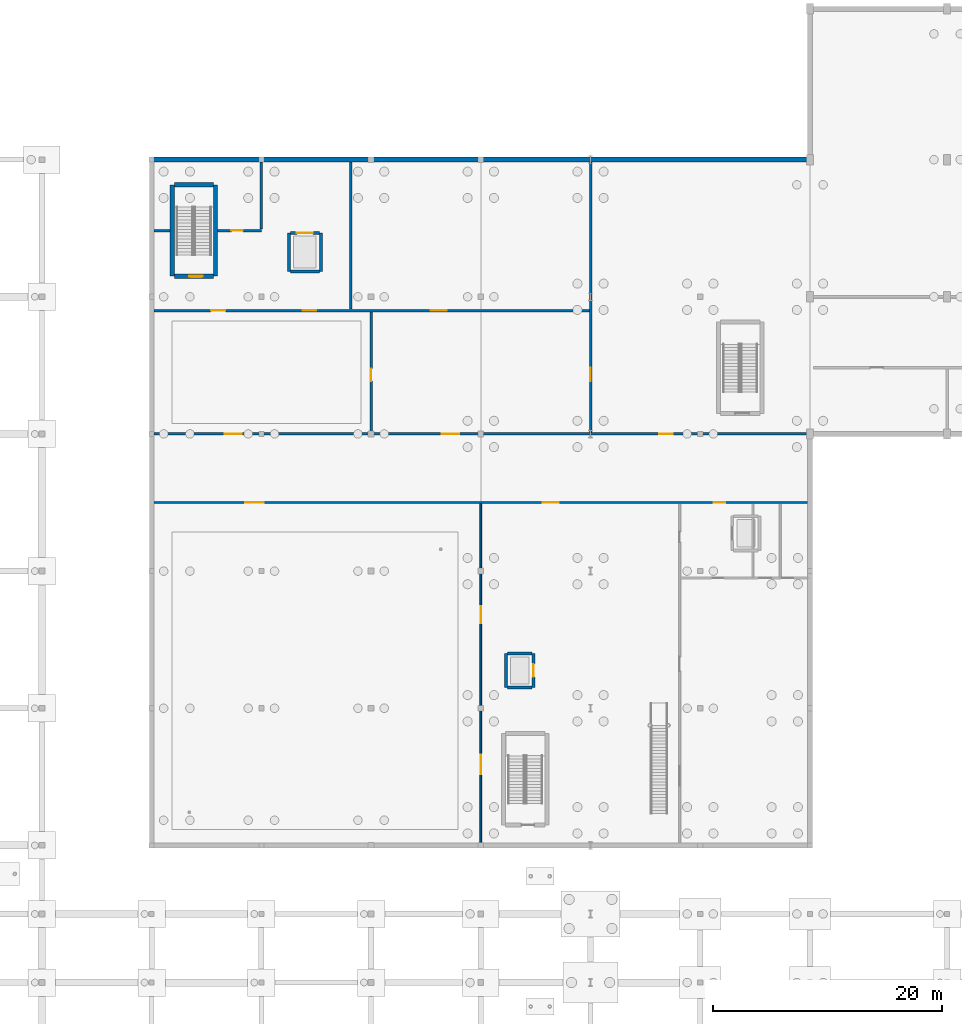
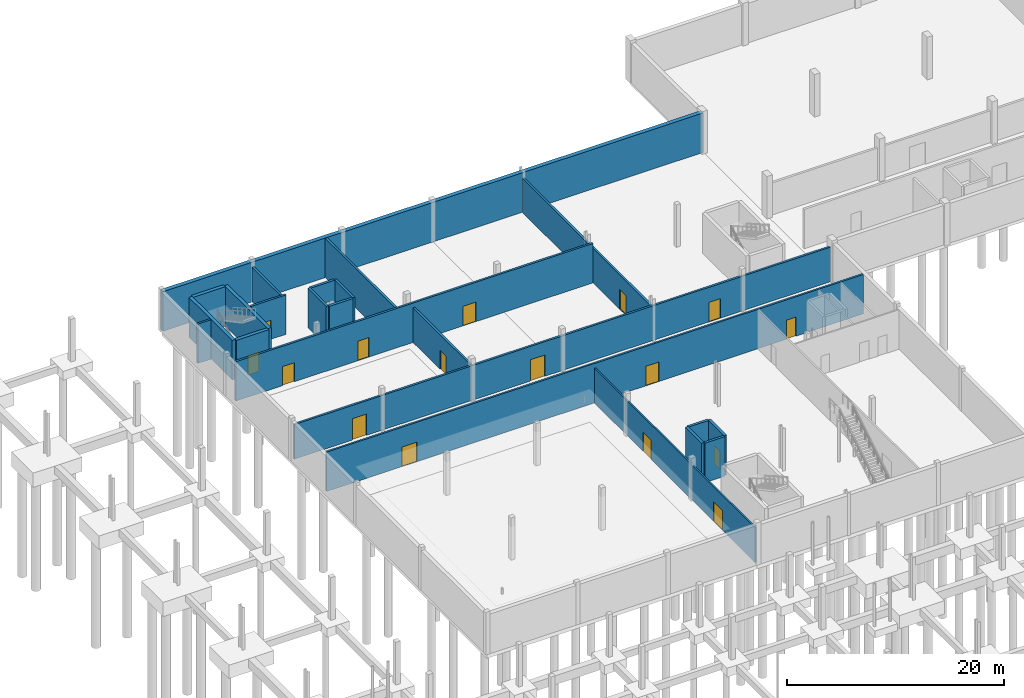
# One storey, part 24 of 31: 23 walls, 17 doors, 17 openings.
"""IFC4 building model written with IfcOpenShell, lengths in metres."""

from ifc_helpers import new_model, si_unit, direction, frame, frame_2d, origin, place, context, subcontext, project, spatial, rectangle, extrude, material, layer, layer_set, type_object, element, fill, save


model = new_model("IFC4")

# Units and contexts
model_context = context("Model", 3, precision=1e-05, world=origin(), true_north=direction((0.0, 1.0)))
body_context = subcontext(model_context, "Body", "Model", "MODEL_VIEW")
ifc_project = project(units=[si_unit("LENGTHUNIT", "METRE"), si_unit("AREAUNIT", "SQUARE_METRE"), si_unit("VOLUMEUNIT", "CUBIC_METRE"), si_unit("PLANEANGLEUNIT", "RADIAN"), si_unit("MASSUNIT", "GRAM", prefix="KILO")], contexts=[model_context])

# Site, building, storey
site_placement = place(None, origin())
site = spatial("IfcSite", under=ifc_project, at=site_placement, CompositionType="ELEMENT")
building_placement = place(site_placement, origin())
building = spatial("IfcBuilding", under=site, at=building_placement, Name="Merenkruunu Market Hall", CompositionType="ELEMENT")
storey_placement = place(building_placement, frame((0.0, 0.0, -4.800048828125)))
storey = spatial("IfcBuildingStorey", under=building, at=storey_placement, Name="B1", CompositionType="ELEMENT", Elevation=-4.800048828125)

# Wall
ifc_material_1 = material(Name="Concrete C35/45", Category="concrete")
ifc_layer_1 = layer(ifc_material_1, 0.43994140625)
ifc_layer_set_1 = layer_set([ifc_layer_1], Name="Concrete C35/45")
wall_type_1 = type_object("IfcWallType", Name="Basement Retaining Wall RW01", PredefinedType="USERDEFINED", material=ifc_layer_set_1)
wall_1_placement = place(storey_placement, frame((76.800048828125, 111.60009765625, 0.0), z_axis=(0.0, 0.0, 1.0), x_axis=(-1.0, 0.0, 0.0)))
element("IfcWall", 1, at=wall_1_placement, inside=storey, type_object=wall_type_1, Name="WALL-B1-RW-07", ObjectType="RETAININGWALL", PredefinedType="USERDEFINED", context=body_context, shape_type="SweptSolid", body=[
    extrude(rectangle(XDim=57.60009765625, YDim=0.43994140625, at=frame_2d((28.800048828125, 0.0))), origin(), (0.0, 0.0, 1.0), 4.4599609375),
])

# Wall, openings, doors
ifc_material_2 = material(Name="Acoustic mineral wool panel")
ifc_layer_2 = layer(ifc_material_2, 0.219970703125)
ifc_layer_set_2 = layer_set([ifc_layer_2], Name="Acoustic mineral wool panel")
wall_type_2 = type_object("IfcWallType", Name="Interior Partition Wall FW01", PredefinedType="PARTITIONING", material=ifc_layer_set_2)
wall_2_placement = place(storey_placement, frame((19.402099609375, 87.60009765625, 0.0), z_axis=(0.0, 0.0, 1.0), x_axis=(1.0, 0.0, 0.0)))
wall_2 = element("IfcWall", 2, at=wall_2_placement, inside=storey, type_object=wall_type_2, Name="WALL-INT-B1-0007", PredefinedType="PARTITIONING", context=body_context, shape_type="SweptSolid", body=[
    extrude(rectangle(XDim=57.19580078125, YDim=0.219970703125, at=frame_2d((28.597900390625, 0.0))), origin(), (0.0, 0.0, 1.0), 3.905029296875),
])
opening_1_placement = place(wall_2_placement, frame((6.199951171875, 0.0, 0.0)))
opening_1 = element("IfcOpeningElement", 3, at=opening_1_placement, cuts=wall_2, Name="Opening CSD01", PredefinedType="OPENING", context=body_context, shape_type="SweptSolid", body=[
    extrude(rectangle(XDim=1.5, YDim=2.39990234375, at=frame_2d((0.75, 1.199951171875))), frame((0.0, 0.1201171875, 0.0), z_axis=(0.0, -1.0, 0.0), x_axis=(1.0, 0.0, 0.0)), (0.0, 0.0, 1.0), 0.239990234375),
])
opening_2_placement = place(wall_2_placement, frame((25.199951171875, 0.0, 0.0)))
opening_2 = element("IfcOpeningElement", 4, at=opening_2_placement, cuts=wall_2, Name="Opening CSD01", PredefinedType="OPENING", context=body_context, shape_type="SweptSolid", body=[
    extrude(rectangle(XDim=1.5, YDim=2.39990234375, at=frame_2d((0.75, 1.199951171875))), frame((0.0, 0.1201171875, 0.0), z_axis=(0.0, -1.0, 0.0), x_axis=(1.0, 0.0, 0.0)), (0.0, 0.0, 1.0), 0.239990234375),
])
opening_3_placement = place(wall_2_placement, frame((44.199951171875, 0.0, 0.0)))
opening_3 = element("IfcOpeningElement", 5, at=opening_3_placement, cuts=wall_2, Name="Opening FD03", PredefinedType="OPENING", context=body_context, shape_type="SweptSolid", body=[
    extrude(rectangle(XDim=1.199951171875, YDim=2.199951171875, at=frame_2d((0.60009765625, 1.10009765625))), frame((0.0, 0.1201171875, 0.0), z_axis=(0.0, -1.0, 0.0), x_axis=(1.0, 0.0, 0.0)), (0.0, 0.0, 1.0), 0.239990234375),
])
ifc_material_3 = material(Name="Brushed stainless steel", Category="steel")
door_type_1 = type_object("IfcDoorType", Name="Cold Store Sliding Door CSD01", OperationType="NOTDEFINED", PredefinedType="DOOR", material=ifc_material_3)
door_1_placement = place(opening_1_placement, origin())
door_1 = element("IfcDoor", 6, at=door_1_placement, inside=storey, type_object=door_type_1, Name="DR-B1-013", OperationType="SLIDING_TO_RIGHT", OverallHeight=2.39990234375, OverallWidth=1.5, PredefinedType="DOOR", context=body_context, shape_type="SweptSolid", body=[
    extrude(rectangle(XDim=1.5, YDim=2.39990234375, at=frame_2d((0.75, 1.199951171875))), frame((0.0, 0.02490234375, 0.0), z_axis=(0.0, -1.0, 0.0), x_axis=(1.0, 0.0, 0.0)), (0.0, 0.0, 1.0), 0.050048828125),
])
fill(opening_1, door_1)
door_2_placement = place(opening_2_placement, origin())
door_2 = element("IfcDoor", 7, at=door_2_placement, inside=storey, type_object=door_type_1, Name="DR-B1-014", OperationType="SLIDING_TO_RIGHT", OverallHeight=2.39990234375, OverallWidth=1.5, PredefinedType="DOOR", context=body_context, shape_type="SweptSolid", body=[
    extrude(rectangle(XDim=1.5, YDim=2.39990234375, at=frame_2d((0.75, 1.199951171875))), frame((0.0, 0.02490234375, 0.0), z_axis=(0.0, -1.0, 0.0), x_axis=(1.0, 0.0, 0.0)), (0.0, 0.0, 1.0), 0.050048828125),
])
fill(opening_2, door_2)
ifc_material_4 = material(Name="Powder-coated aluminium", Category="aluminium")
door_type_2 = type_object("IfcDoorType", Name="Fire Compartment Door FD03", OperationType="NOTDEFINED", PredefinedType="DOOR", material=ifc_material_4)
door_3_placement = place(opening_3_placement, origin())
door_3 = element("IfcDoor", 8, at=door_3_placement, inside=storey, type_object=door_type_2, Name="DR-B1-015", OperationType="SINGLE_SWING_RIGHT", OverallHeight=2.199951171875, OverallWidth=1.199951171875, PredefinedType="DOOR", context=body_context, shape_type="SweptSolid", body=[
    extrude(rectangle(XDim=1.199951171875, YDim=2.199951171875, at=frame_2d((0.60009765625, 1.10009765625))), frame((0.0, 0.02490234375, 0.0), z_axis=(0.0, -1.0, 0.0), x_axis=(1.0, 0.0, 0.0)), (0.0, 0.0, 1.0), 0.050048828125),
])
fill(opening_3, door_3)

# Wall, opening, door
wall_3_placement = place(storey_placement, frame((57.60009765625, 87.7119140625, 0.0), z_axis=(0.0, 0.0, 1.0), x_axis=(0.0, 1.0, 0.0)))
wall_3 = element("IfcWall", 9, at=wall_3_placement, inside=storey, type_object=wall_type_2, Name="WALL-INT-B1-0008", PredefinedType="PARTITIONING", context=body_context, shape_type="SweptSolid", body=[
    extrude(rectangle(XDim=23.666015625, YDim=0.219970703125, at=frame_2d((11.8330078125, 0.0))), origin(), (0.0, 0.0, 1.0), 3.85498046875),
])
opening_4_placement = place(wall_3_placement, frame((4.5, 0.0, 0.0)))
opening_4 = element("IfcOpeningElement", 10, at=opening_4_placement, cuts=wall_3, Name="Opening FD03", PredefinedType="OPENING", context=body_context, shape_type="SweptSolid", body=[
    extrude(rectangle(XDim=1.199951171875, YDim=2.199951171875, at=frame_2d((0.60009765625, 1.10009765625))), frame((0.0, 0.1201171875, 0.0), z_axis=(0.0, -1.0, 0.0), x_axis=(1.0, 0.0, 0.0)), (0.0, 0.0, 1.0), 0.239990234375),
])
door_4_placement = place(opening_4_placement, origin())
door_4 = element("IfcDoor", 11, at=door_4_placement, inside=storey, type_object=door_type_2, Name="DR-B1-016", OperationType="SINGLE_SWING_LEFT", OverallHeight=2.199951171875, OverallWidth=1.199951171875, PredefinedType="DOOR", context=body_context, shape_type="SweptSolid", body=[
    extrude(rectangle(XDim=1.199951171875, YDim=2.199951171875, at=frame_2d((0.60009765625, 1.10009765625))), frame((0.0, 0.02490234375, 0.0), z_axis=(0.0, -1.0, 0.0), x_axis=(1.0, 0.0, 0.0)), (0.0, 0.0, 1.0), 0.050048828125),
])
fill(opening_4, door_4)

# Wall, openings, doors
wall_4_placement = place(storey_placement, frame((19.402099609375, 98.39990234375, 0.0), z_axis=(0.0, 0.0, 1.0), x_axis=(1.0, 0.0, 0.0)))
wall_4 = element("IfcWall", 12, at=wall_4_placement, inside=storey, type_object=wall_type_2, Name="WALL-INT-B1-0009", PredefinedType="PARTITIONING", context=body_context, shape_type="SweptSolid", body=[
    extrude(rectangle(XDim=38.0859375, YDim=0.219970703125, at=frame_2d((19.04296875, 0.0))), origin(), (0.0, 0.0, 1.0), 4.43994140625),
])
opening_5_placement = place(wall_4_placement, frame((5.0, 0.0, 0.0)))
opening_5 = element("IfcOpeningElement", 13, at=opening_5_placement, cuts=wall_4, Name="Opening FD08", PredefinedType="OPENING", context=body_context, shape_type="SweptSolid", body=[
    extrude(rectangle(XDim=1.25, YDim=2.14990234375, at=frame_2d((0.625, 1.074951171875))), frame((0.0, 0.1201171875, 0.0), z_axis=(0.0, -1.0, 0.0), x_axis=(1.0, 0.0, 0.0)), (0.0, 0.0, 1.0), 0.239990234375),
])
opening_6_placement = place(wall_4_placement, frame((13.0, 0.0, 0.0)))
opening_6 = element("IfcOpeningElement", 14, at=opening_6_placement, cuts=wall_4, Name="Opening FD03", PredefinedType="OPENING", context=body_context, shape_type="SweptSolid", body=[
    extrude(rectangle(XDim=1.199951171875, YDim=2.199951171875, at=frame_2d((0.60009765625, 1.10009765625))), frame((0.0, 0.1201171875, 0.0), z_axis=(0.0, -1.0, 0.0), x_axis=(1.0, 0.0, 0.0)), (0.0, 0.0, 1.0), 0.239990234375),
])
opening_7_placement = place(wall_4_placement, frame((24.199951171875, 0.0, 0.0)))
opening_7 = element("IfcOpeningElement", 15, at=opening_7_placement, cuts=wall_4, Name="Opening FD04", PredefinedType="OPENING", context=body_context, shape_type="SweptSolid", body=[
    extrude(rectangle(XDim=1.39990234375, YDim=2.199951171875, at=frame_2d((0.699951171875, 1.10009765625))), frame((0.0, 0.1201171875, 0.0), z_axis=(0.0, -1.0, 0.0), x_axis=(1.0, 0.0, 0.0)), (0.0, 0.0, 1.0), 0.239990234375),
])
door_5_placement = place(opening_6_placement, origin())
door_5 = element("IfcDoor", 16, at=door_5_placement, inside=storey, type_object=door_type_2, Name="DR-B1-018", OperationType="SINGLE_SWING_LEFT", OverallHeight=2.199951171875, OverallWidth=1.199951171875, PredefinedType="DOOR", context=body_context, shape_type="SweptSolid", body=[
    extrude(rectangle(XDim=1.199951171875, YDim=2.199951171875, at=frame_2d((0.60009765625, 1.10009765625))), frame((0.0, 0.02490234375, 0.0), z_axis=(0.0, -1.0, 0.0), x_axis=(1.0, 0.0, 0.0)), (0.0, 0.0, 1.0), 0.050048828125),
])
fill(opening_6, door_5)
door_type_3 = type_object("IfcDoorType", Name="Fire Compartment Door FD04", OperationType="NOTDEFINED", PredefinedType="DOOR", material=ifc_material_4)
door_6_placement = place(opening_7_placement, origin())
door_6 = element("IfcDoor", 17, at=door_6_placement, inside=storey, type_object=door_type_3, Name="DR-B1-019", OperationType="SINGLE_SWING_RIGHT", OverallHeight=2.199951171875, OverallWidth=1.39990234375, PredefinedType="DOOR", context=body_context, shape_type="SweptSolid", body=[
    extrude(rectangle(XDim=1.39990234375, YDim=2.199951171875, at=frame_2d((0.699951171875, 1.10009765625))), frame((0.0, 0.02490234375, 0.0), z_axis=(0.0, -1.0, 0.0), x_axis=(1.0, 0.0, 0.0)), (0.0, 0.0, 1.0), 0.050048828125),
])
fill(opening_7, door_6)
door_type_4 = type_object("IfcDoorType", Name="Fire Compartment Door FD08", OperationType="NOTDEFINED", PredefinedType="DOOR", material=ifc_material_4)
door_7_placement = place(opening_5_placement, origin())
door_7 = element("IfcDoor", 18, at=door_7_placement, inside=storey, type_object=door_type_4, Name="DR-B1-017", OperationType="SINGLE_SWING_RIGHT", OverallHeight=2.14990234375, OverallWidth=1.25, PredefinedType="DOOR", context=body_context, shape_type="SweptSolid", body=[
    extrude(rectangle(XDim=1.25, YDim=2.14990234375, at=frame_2d((0.625, 1.074951171875))), frame((0.0, 0.02490234375, 0.0), z_axis=(0.0, -1.0, 0.0), x_axis=(1.0, 0.0, 0.0)), (0.0, 0.0, 1.0), 0.050048828125),
])
fill(opening_5, door_7)

# Wall, opening, door
wall_5_placement = place(storey_placement, frame((38.39990234375, 87.7119140625, 0.0), z_axis=(0.0, 0.0, 1.0), x_axis=(0.0, 1.0, 0.0)))
wall_5 = element("IfcWall", 19, at=wall_5_placement, inside=storey, type_object=wall_type_2, Name="WALL-INT-B1-0010", PredefinedType="PARTITIONING", context=body_context, shape_type="SweptSolid", body=[
    extrude(rectangle(XDim=10.576171875, YDim=0.219970703125, at=frame_2d((5.2880859375, 0.0))), origin(), (0.0, 0.0, 1.0), 3.9150390625),
])
opening_8_placement = place(wall_5_placement, frame((4.5, 0.0, 0.0)))
opening_8 = element("IfcOpeningElement", 20, at=opening_8_placement, cuts=wall_5, Name="Opening FD02", PredefinedType="OPENING", context=body_context, shape_type="SweptSolid", body=[
    extrude(rectangle(XDim=1.10009765625, YDim=2.14990234375, at=frame_2d((0.550048828125, 1.074951171875))), frame((0.0, 0.1201171875, 0.0), z_axis=(0.0, -1.0, 0.0), x_axis=(1.0, 0.0, 0.0)), (0.0, 0.0, 1.0), 0.239990234375),
])
door_type_5 = type_object("IfcDoorType", Name="Fire Compartment Door FD02", OperationType="NOTDEFINED", PredefinedType="DOOR", material=ifc_material_4)
door_8_placement = place(opening_8_placement, origin())
door_8 = element("IfcDoor", 21, at=door_8_placement, inside=storey, type_object=door_type_5, Name="DR-B1-020", OperationType="SINGLE_SWING_LEFT", OverallHeight=2.14990234375, OverallWidth=1.10009765625, PredefinedType="DOOR", context=body_context, shape_type="SweptSolid", body=[
    extrude(rectangle(XDim=1.10009765625, YDim=2.14990234375, at=frame_2d((0.550048828125, 1.074951171875))), frame((0.0, 0.02490234375, 0.0), z_axis=(0.0, -1.0, 0.0), x_axis=(1.0, 0.0, 0.0)), (0.0, 0.0, 1.0), 0.050048828125),
])
fill(opening_8, door_8)

# Walls
wall_6_placement = place(storey_placement, frame((36.60009765625, 98.511962890625, 0.0), z_axis=(0.0, 0.0, 1.0), x_axis=(0.0, 1.0, 0.0)))
element("IfcWall", 22, at=wall_6_placement, inside=storey, type_object=wall_type_2, Name="WALL-INT-B1-0011", PredefinedType="PARTITIONING", context=body_context, shape_type="SweptSolid", body=[
    extrude(rectangle(XDim=12.865966796875, YDim=0.219970703125, at=frame_2d((6.43310546875, 0.0))), origin(), (0.0, 0.0, 1.0), 4.43994140625),
])
wall_7_placement = place(storey_placement, frame((19.402099609375, 105.39990234375, 0.0), z_axis=(0.0, 0.0, 1.0), x_axis=(1.0, 0.0, 0.0)))
element("IfcWall", 23, at=wall_7_placement, inside=storey, type_object=wall_type_2, Name="WALL-INT-B1-0012", PredefinedType="PARTITIONING", context=body_context, shape_type="SweptSolid", body=[
    extrude(rectangle(XDim=1.416015625, YDim=0.219970703125, at=frame_2d((0.7080078125, 0.0))), origin(), (0.0, 0.0, 1.0), 4.43994140625),
])

# Wall, opening, door
wall_8_placement = place(storey_placement, frame((24.98193359375, 105.39990234375, 0.0), z_axis=(0.0, 0.0, 1.0), x_axis=(1.0, 0.0, 0.0)))
wall_8 = element("IfcWall", 24, at=wall_8_placement, inside=storey, type_object=wall_type_2, Name="WALL-INT-B1-0013", PredefinedType="PARTITIONING", context=body_context, shape_type="SweptSolid", body=[
    extrude(rectangle(XDim=3.818115234375, YDim=0.219970703125, at=frame_2d((1.9091796875, 0.0))), origin(), (0.0, 0.0, 1.0), 4.43994140625),
])
opening_9_placement = place(wall_8_placement, frame((1.199951171875, 0.0, 0.0)))
opening_9 = element("IfcOpeningElement", 25, at=opening_9_placement, cuts=wall_8, Name="Opening FD01", PredefinedType="OPENING", context=body_context, shape_type="SweptSolid", body=[
    extrude(rectangle(XDim=1.0, YDim=2.14990234375, at=frame_2d((0.5, 1.074951171875))), frame((0.0, 0.1201171875, 0.0), z_axis=(0.0, -1.0, 0.0), x_axis=(1.0, 0.0, 0.0)), (0.0, 0.0, 1.0), 0.239990234375),
])
door_type_6 = type_object("IfcDoorType", Name="Fire Compartment Door FD01", OperationType="NOTDEFINED", PredefinedType="DOOR", material=ifc_material_4)
door_9_placement = place(opening_9_placement, origin())
door_9 = element("IfcDoor", 26, at=door_9_placement, inside=storey, type_object=door_type_6, Name="DR-B1-021", OperationType="SINGLE_SWING_RIGHT", OverallHeight=2.14990234375, OverallWidth=1.0, PredefinedType="DOOR", context=body_context, shape_type="SweptSolid", body=[
    extrude(rectangle(XDim=1.0, YDim=2.14990234375, at=frame_2d((0.5, 1.074951171875))), frame((0.0, 0.02490234375, 0.0), z_axis=(0.0, -1.0, 0.0), x_axis=(1.0, 0.0, 0.0)), (0.0, 0.0, 1.0), 0.050048828125),
])
fill(opening_9, door_9)

# Wall
wall_9_placement = place(storey_placement, frame((28.800048828125, 105.511962890625, 0.0), z_axis=(0.0, 0.0, 1.0), x_axis=(0.0, 1.0, 0.0)))
element("IfcWall", 27, at=wall_9_placement, inside=storey, type_object=wall_type_2, Name="WALL-INT-B1-0014", PredefinedType="PARTITIONING", context=body_context, shape_type="SweptSolid", body=[
    extrude(rectangle(XDim=5.865966796875, YDim=0.219970703125, at=frame_2d((2.93310546875, 0.0))), origin(), (0.0, 0.0, 1.0), 3.9150390625),
])

# Wall, openings, doors
ifc_material_5 = material(Name="Gypsum fire compartment board")
ifc_layer_3 = layer(ifc_material_5, 0.199951171875)
ifc_layer_set_3 = layer_set([ifc_layer_3], Name="Gypsum fire compartment board")
wall_type_3 = type_object("IfcWallType", Name="Interior Partition Wall FW02", PredefinedType="PARTITIONING", material=ifc_layer_set_3)
wall_10_placement = place(storey_placement, frame((19.402099609375, 81.60009765625, 0.0), z_axis=(0.0, 0.0, 1.0), x_axis=(1.0, 0.0, 0.0)))
wall_10 = element("IfcWall", 28, at=wall_10_placement, inside=storey, type_object=wall_type_3, Name="WALL-INT-B1-0001", PredefinedType="PARTITIONING", context=body_context, shape_type="SweptSolid", body=[
    extrude(rectangle(XDim=57.19580078125, YDim=0.199951171875, at=frame_2d((28.597900390625, 0.0))), origin(), (0.0, 0.0, 1.0), 4.43994140625),
])
opening_10_placement = place(wall_10_placement, frame((8.0, 0.0, 0.0)))
opening_10 = element("IfcOpeningElement", 29, at=opening_10_placement, cuts=wall_10, Name="Opening FD05", PredefinedType="OPENING", context=body_context, shape_type="SweptSolid", body=[
    extrude(rectangle(XDim=1.60009765625, YDim=2.199951171875, at=frame_2d((0.800048828125, 1.10009765625))), frame((0.0, 0.10986328125, 0.0), z_axis=(0.0, -1.0, 0.0), x_axis=(1.0, 0.0, 0.0)), (0.0, 0.0, 1.0), 0.219970703125),
])
opening_11_placement = place(wall_10_placement, frame((34.0, 0.0, 0.0)))
opening_11 = element("IfcOpeningElement", 30, at=opening_11_placement, cuts=wall_10, Name="Opening FD04", PredefinedType="OPENING", context=body_context, shape_type="SweptSolid", body=[
    extrude(rectangle(XDim=1.39990234375, YDim=2.199951171875, at=frame_2d((0.699951171875, 1.10009765625))), frame((0.0, 0.10986328125, 0.0), z_axis=(0.0, -1.0, 0.0), x_axis=(1.0, 0.0, 0.0)), (0.0, 0.0, 1.0), 0.219970703125),
])
opening_12_placement = place(wall_10_placement, frame((49.0, 0.0, 0.0)))
opening_12 = element("IfcOpeningElement", 31, at=opening_12_placement, cuts=wall_10, Name="Opening FD01", PredefinedType="OPENING", context=body_context, shape_type="SweptSolid", body=[
    extrude(rectangle(XDim=1.0, YDim=2.14990234375, at=frame_2d((0.5, 1.074951171875))), frame((0.0, 0.10986328125, 0.0), z_axis=(0.0, -1.0, 0.0), x_axis=(1.0, 0.0, 0.0)), (0.0, 0.0, 1.0), 0.219970703125),
])
door_10_placement = place(opening_12_placement, origin())
door_10 = element("IfcDoor", 32, at=door_10_placement, inside=storey, type_object=door_type_6, Name="DR-B1-004", OperationType="SINGLE_SWING_LEFT", OverallHeight=2.14990234375, OverallWidth=1.0, PredefinedType="DOOR", context=body_context, shape_type="SweptSolid", body=[
    extrude(rectangle(XDim=1.0, YDim=2.14990234375, at=frame_2d((0.5, 1.074951171875))), frame((0.0, 0.02490234375, 0.0), z_axis=(0.0, -1.0, 0.0), x_axis=(1.0, 0.0, 0.0)), (0.0, 0.0, 1.0), 0.050048828125),
])
fill(opening_12, door_10)
door_11_placement = place(opening_11_placement, origin())
door_11 = element("IfcDoor", 33, at=door_11_placement, inside=storey, type_object=door_type_3, Name="DR-B1-003", OperationType="SINGLE_SWING_RIGHT", OverallHeight=2.199951171875, OverallWidth=1.39990234375, PredefinedType="DOOR", context=body_context, shape_type="SweptSolid", body=[
    extrude(rectangle(XDim=1.39990234375, YDim=2.199951171875, at=frame_2d((0.699951171875, 1.10009765625))), frame((0.0, 0.02490234375, 0.0), z_axis=(0.0, -1.0, 0.0), x_axis=(1.0, 0.0, 0.0)), (0.0, 0.0, 1.0), 0.050048828125),
])
fill(opening_11, door_11)
door_type_7 = type_object("IfcDoorType", Name="Fire Compartment Door FD05", OperationType="NOTDEFINED", PredefinedType="DOOR", material=ifc_material_4)
door_12_placement = place(opening_10_placement, origin())
door_12 = element("IfcDoor", 34, at=door_12_placement, inside=storey, type_object=door_type_7, Name="DR-B1-002", OperationType="SINGLE_SWING_LEFT", OverallHeight=2.199951171875, OverallWidth=1.60009765625, PredefinedType="DOOR", context=body_context, shape_type="SweptSolid", body=[
    extrude(rectangle(XDim=1.60009765625, YDim=2.199951171875, at=frame_2d((0.800048828125, 1.10009765625))), frame((0.0, 0.02490234375, 0.0), z_axis=(0.0, -1.0, 0.0), x_axis=(1.0, 0.0, 0.0)), (0.0, 0.0, 1.0), 0.050048828125),
])
fill(opening_10, door_12)

ifc_material_6 = material(Name="Gypsum acoustic partition board")
ifc_layer_4 = layer(ifc_material_6, 0.159912109375)
ifc_layer_set_4 = layer_set([ifc_layer_4], Name="Gypsum acoustic partition board")
wall_type_4 = type_object("IfcWallType", Name="Interior Partition Wall PW01", PredefinedType="PARTITIONING", material=ifc_layer_set_4)
wall_11_placement = place(storey_placement, frame((48.0, 51.822021484375, 0.0), z_axis=(0.0, 0.0, 1.0), x_axis=(0.0, 1.0, 0.0)))
wall_11 = element("IfcWall", 35, at=wall_11_placement, inside=storey, type_object=wall_type_4, Name="WALL-INT-B1-0002", PredefinedType="PARTITIONING", context=body_context, shape_type="SweptSolid", body=[
    extrude(rectangle(XDim=29.676025390625, YDim=0.159912109375, at=frame_2d((14.837890625, 0.0))), origin(), (0.0, 0.0, 1.0), 3.9150390625),
])
opening_13_placement = place(wall_11_placement, frame((6.0, 0.0, 0.0)))
opening_13 = element("IfcOpeningElement", 36, at=opening_13_placement, cuts=wall_11, Name="Opening D07", PredefinedType="OPENING", context=body_context, shape_type="SweptSolid", body=[
    extrude(rectangle(XDim=1.699951171875, YDim=2.199951171875, at=frame_2d((0.85009765625, 1.10009765625))), frame((0.0, 0.08984375, 0.0), z_axis=(0.0, -1.0, 0.0), x_axis=(1.0, 0.0, 0.0)), (0.0, 0.0, 1.0), 0.179931640625),
])
opening_14_placement = place(wall_11_placement, frame((19.199951171875, 0.0, 0.0)))
opening_14 = element("IfcOpeningElement", 37, at=opening_14_placement, cuts=wall_11, Name="Opening D06", PredefinedType="OPENING", context=body_context, shape_type="SweptSolid", body=[
    extrude(rectangle(XDim=1.5, YDim=2.14990234375, at=frame_2d((0.75, 1.074951171875))), frame((0.0, 0.08984375, 0.0), z_axis=(0.0, -1.0, 0.0), x_axis=(1.0, 0.0, 0.0)), (0.0, 0.0, 1.0), 0.179931640625),
])
ifc_material_7 = material(Name="Lacquered Nordic birch")
door_type_8 = type_object("IfcDoorType", Name="Pedestrian Room Door D06", OperationType="NOTDEFINED", PredefinedType="DOOR", material=ifc_material_7)
door_13_placement = place(opening_14_placement, origin())
door_13 = element("IfcDoor", 38, at=door_13_placement, inside=storey, type_object=door_type_8, Name="DR-B1-006", OperationType="SINGLE_SWING_LEFT", OverallHeight=2.14990234375, OverallWidth=1.5, PredefinedType="DOOR", context=body_context, shape_type="SweptSolid", body=[
    extrude(rectangle(XDim=1.5, YDim=2.14990234375, at=frame_2d((0.75, 1.074951171875))), frame((0.0, 0.02490234375, 0.0), z_axis=(0.0, -1.0, 0.0), x_axis=(1.0, 0.0, 0.0)), (0.0, 0.0, 1.0), 0.050048828125),
])
fill(opening_14, door_13)
door_type_9 = type_object("IfcDoorType", Name="Pedestrian Room Door D07", OperationType="NOTDEFINED", PredefinedType="DOOR", material=ifc_material_7)
door_14_placement = place(opening_13_placement, origin())
door_14 = element("IfcDoor", 39, at=door_14_placement, inside=storey, type_object=door_type_9, Name="DR-B1-005", OperationType="SINGLE_SWING_RIGHT", OverallHeight=2.199951171875, OverallWidth=1.699951171875, PredefinedType="DOOR", context=body_context, shape_type="SweptSolid", body=[
    extrude(rectangle(XDim=1.699951171875, YDim=2.199951171875, at=frame_2d((0.85009765625, 1.10009765625))), frame((0.0, 0.02490234375, 0.0), z_axis=(0.0, -1.0, 0.0), x_axis=(1.0, 0.0, 0.0)), (0.0, 0.0, 1.0), 0.050048828125),
])
fill(opening_13, door_14)

# Wall, opening, door
ifc_layer_5 = layer(ifc_material_1, 0.360107421875)
ifc_layer_set_5 = layer_set([ifc_layer_5], Name="Concrete C35/45")
wall_type_5 = type_object("IfcWallType", Name="Structural Shear Wall SW01", PredefinedType="SHEAR", material=ifc_layer_set_5)
wall_12_placement = place(storey_placement, frame((24.6201171875, 101.39990234375, 0.0), z_axis=(0.0, 0.0, 1.0), x_axis=(-1.0, 0.0, 0.0)))
wall_12 = element("IfcWall", 40, at=wall_12_placement, inside=storey, type_object=wall_type_5, Name="WALL-CORE-K1-B1-S", PredefinedType="SHEAR", context=body_context, shape_type="SweptSolid", body=[
    extrude(rectangle(XDim=3.440185546875, YDim=0.360107421875, at=frame_2d((1.72021484375, 0.0))), origin(), (0.0, 0.0, 1.0), 4.4599609375),
])
opening_15_placement = place(wall_12_placement, frame((0.949951171875, 0.0, 0.0)))
opening_15 = element("IfcOpeningElement", 41, at=opening_15_placement, cuts=wall_12, Name="Opening FD03", PredefinedType="OPENING", context=body_context, shape_type="SweptSolid", body=[
    extrude(rectangle(XDim=1.199951171875, YDim=2.199951171875, at=frame_2d((0.60009765625, 1.10009765625))), frame((0.0, 0.18994140625, 0.0), z_axis=(0.0, -1.0, 0.0), x_axis=(1.0, 0.0, 0.0)), (0.0, 0.0, 1.0), 0.380126953125),
])
door_15_placement = place(opening_15_placement, origin())
door_15 = element("IfcDoor", 42, at=door_15_placement, inside=storey, type_object=door_type_2, Name="DR-B1-099", OperationType="SINGLE_SWING_LEFT", OverallHeight=2.199951171875, OverallWidth=1.199951171875, PredefinedType="DOOR", context=body_context, shape_type="SweptSolid", body=[
    extrude(rectangle(XDim=1.199951171875, YDim=2.199951171875, at=frame_2d((0.60009765625, 1.10009765625))), frame((0.0, 0.02490234375, 0.0), z_axis=(0.0, -1.0, 0.0), x_axis=(1.0, 0.0, 0.0)), (0.0, 0.0, 1.0), 0.050048828125),
])
fill(opening_15, door_15)

# Walls
wall_13_placement = place(storey_placement, frame((24.800048828125, 101.39990234375, 0.0), z_axis=(0.0, 0.0, 1.0), x_axis=(0.0, 1.0, 0.0)))
element("IfcWall", 43, at=wall_13_placement, inside=storey, type_object=wall_type_5, Name="WALL-CORE-K1-B1-E", PredefinedType="SHEAR", context=body_context, shape_type="SweptSolid", body=[
    extrude(rectangle(XDim=8.0, YDim=0.360107421875, at=frame_2d((4.0, 0.0))), origin(), (0.0, 0.0, 1.0), 4.4599609375),
])
wall_14_placement = place(storey_placement, frame((24.6201171875, 109.39990234375, 0.0), z_axis=(0.0, 0.0, 1.0), x_axis=(-1.0, 0.0, 0.0)))
element("IfcWall", 44, at=wall_14_placement, inside=storey, type_object=wall_type_5, Name="WALL-CORE-K1-B1-N", PredefinedType="SHEAR", context=body_context, shape_type="SweptSolid", body=[
    extrude(rectangle(XDim=3.440185546875, YDim=0.360107421875, at=frame_2d((1.72021484375, 0.0))), origin(), (0.0, 0.0, 1.0), 4.4599609375),
])
wall_15_placement = place(storey_placement, frame((21.0, 109.39990234375, 0.0), z_axis=(0.0, 0.0, 1.0), x_axis=(0.0, -1.0, 0.0)))
element("IfcWall", 45, at=wall_15_placement, inside=storey, type_object=wall_type_5, Name="WALL-CORE-K1-B1-W", PredefinedType="SHEAR", context=body_context, shape_type="SweptSolid", body=[
    extrude(rectangle(XDim=8.0, YDim=0.360107421875, at=frame_2d((4.0, 0.0))), origin(), (0.0, 0.0, 1.0), 4.4599609375),
])
ifc_layer_6 = layer(ifc_material_1, 0.260009765625)
ifc_layer_set_6 = layer_set([ifc_layer_6], Name="Concrete C35/45")
wall_type_6 = type_object("IfcWallType", Name="Structural Shear Wall SW03", PredefinedType="SHEAR", material=ifc_layer_set_6)
wall_16_placement = place(storey_placement, frame((50.330078125, 65.39990234375, 0.0), z_axis=(0.0, 0.0, 1.0), x_axis=(1.0, 0.0, 0.0)))
element("IfcWall", 46, at=wall_16_placement, inside=storey, type_object=wall_type_6, Name="WALL-LIFT-LP1-B1-S", PredefinedType="SHEAR", context=body_context, shape_type="SweptSolid", body=[
    extrude(rectangle(XDim=2.139892578125, YDim=0.260009765625, at=frame_2d((1.06982421875, 0.0))), origin(), (0.0, 0.0, 1.0), 4.4599609375),
])

# Wall, opening, door
wall_17_placement = place(storey_placement, frame((52.60009765625, 65.39990234375, 0.0), z_axis=(0.0, 0.0, 1.0), x_axis=(0.0, 1.0, 0.0)))
wall_17 = element("IfcWall", 47, at=wall_17_placement, inside=storey, type_object=wall_type_6, Name="WALL-LIFT-LP1-B1-E", PredefinedType="SHEAR", context=body_context, shape_type="SweptSolid", body=[
    extrude(rectangle(XDim=3.0, YDim=0.260009765625, at=frame_2d((1.5, 0.0))), origin(), (0.0, 0.0, 1.0), 4.4599609375),
])
opening_16_placement = place(wall_17_placement, frame((0.949951171875, 0.0, 0.0)))
opening_16 = element("IfcOpeningElement", 48, at=opening_16_placement, cuts=wall_17, Name="Opening LD01", PredefinedType="OPENING", context=body_context, shape_type="SweptSolid", body=[
    extrude(rectangle(XDim=1.10009765625, YDim=2.10009765625, at=frame_2d((0.550048828125, 1.050048828125))), frame((0.0, 0.14013671875, 0.0), z_axis=(0.0, -1.0, 0.0), x_axis=(1.0, 0.0, 0.0)), (0.0, 0.0, 1.0), 0.280029296875),
])
door_type_10 = type_object("IfcDoorType", Name="Lift Landing Sliding Door LD01", OperationType="NOTDEFINED", PredefinedType="DOOR", material=ifc_material_3)
door_16_placement = place(opening_16_placement, origin())
door_16 = element("IfcDoor", 49, at=door_16_placement, inside=storey, type_object=door_type_10, Name="Lift landing door LP1 B1", OperationType="SLIDING_TO_LEFT", OverallHeight=2.10009765625, OverallWidth=1.10009765625, PredefinedType="DOOR", context=body_context, shape_type="SweptSolid", body=[
    extrude(rectangle(XDim=1.10009765625, YDim=2.10009765625, at=frame_2d((0.550048828125, 1.050048828125))), frame((0.0, 0.02490234375, 0.0), z_axis=(0.0, -1.0, 0.0), x_axis=(1.0, 0.0, 0.0)), (0.0, 0.0, 1.0), 0.050048828125),
])
fill(opening_16, door_16)

# Walls
wall_18_placement = place(storey_placement, frame((52.469970703125, 68.39990234375, 0.0), z_axis=(0.0, 0.0, 1.0), x_axis=(-1.0, 0.0, 0.0)))
element("IfcWall", 50, at=wall_18_placement, inside=storey, type_object=wall_type_6, Name="WALL-LIFT-LP1-B1-N", PredefinedType="SHEAR", context=body_context, shape_type="SweptSolid", body=[
    extrude(rectangle(XDim=2.139892578125, YDim=0.260009765625, at=frame_2d((1.06982421875, 0.0))), origin(), (0.0, 0.0, 1.0), 4.4599609375),
])
wall_19_placement = place(storey_placement, frame((50.199951171875, 68.39990234375, 0.0), z_axis=(0.0, 0.0, 1.0), x_axis=(0.0, -1.0, 0.0)))
element("IfcWall", 51, at=wall_19_placement, inside=storey, type_object=wall_type_6, Name="WALL-LIFT-LP1-B1-W", PredefinedType="SHEAR", context=body_context, shape_type="SweptSolid", body=[
    extrude(rectangle(XDim=3.0, YDim=0.260009765625, at=frame_2d((1.5, 0.0))), origin(), (0.0, 0.0, 1.0), 4.4599609375),
])
wall_20_placement = place(storey_placement, frame((31.330078125, 101.800048828125, 0.0), z_axis=(0.0, 0.0, 1.0), x_axis=(1.0, 0.0, 0.0)))
element("IfcWall", 52, at=wall_20_placement, inside=storey, type_object=wall_type_6, Name="WALL-LIFT-LG1-B1-S", PredefinedType="SHEAR", context=body_context, shape_type="SweptSolid", body=[
    extrude(rectangle(XDim=2.5400390625, YDim=0.260009765625, at=frame_2d((1.27001953125, 0.0))), origin(), (0.0, 0.0, 1.0), 4.4599609375),
])
wall_21_placement = place(storey_placement, frame((34.0, 101.800048828125, 0.0), z_axis=(0.0, 0.0, 1.0), x_axis=(0.0, 1.0, 0.0)))
element("IfcWall", 53, at=wall_21_placement, inside=storey, type_object=wall_type_6, Name="WALL-LIFT-LG1-B1-E", PredefinedType="SHEAR", context=body_context, shape_type="SweptSolid", body=[
    extrude(rectangle(XDim=3.39990234375, YDim=0.260009765625, at=frame_2d((1.699951171875, 0.0))), origin(), (0.0, 0.0, 1.0), 4.4599609375),
])

# Wall, opening, door
wall_22_placement = place(storey_placement, frame((33.8701171875, 105.199951171875, 0.0), z_axis=(0.0, 0.0, 1.0), x_axis=(-1.0, 0.0, 0.0)))
wall_22 = element("IfcWall", 54, at=wall_22_placement, inside=storey, type_object=wall_type_6, Name="WALL-LIFT-LG1-B1-N", PredefinedType="SHEAR", context=body_context, shape_type="SweptSolid", body=[
    extrude(rectangle(XDim=2.5400390625, YDim=0.260009765625, at=frame_2d((1.27001953125, 0.0))), origin(), (0.0, 0.0, 1.0), 4.4599609375),
])
opening_17_placement = place(wall_22_placement, frame((0.570068359375, 0.0, 0.0)))
opening_17 = element("IfcOpeningElement", 55, at=opening_17_placement, cuts=wall_22, Name="Opening LD02", PredefinedType="OPENING", context=body_context, shape_type="SweptSolid", body=[
    extrude(rectangle(XDim=1.39990234375, YDim=2.25, at=frame_2d((0.699951171875, 1.125))), frame((0.0, 0.14013671875, 0.0), z_axis=(0.0, -1.0, 0.0), x_axis=(1.0, 0.0, 0.0)), (0.0, 0.0, 1.0), 0.280029296875),
])
door_type_11 = type_object("IfcDoorType", Name="Lift Landing Sliding Door LD02", OperationType="NOTDEFINED", PredefinedType="DOOR", material=ifc_material_3)
door_17_placement = place(opening_17_placement, origin())
door_17 = element("IfcDoor", 56, at=door_17_placement, inside=storey, type_object=door_type_11, Name="Lift landing door LG1 B1", OperationType="DOUBLE_DOOR_SLIDING", OverallHeight=2.25, OverallWidth=1.39990234375, PredefinedType="DOOR", context=body_context, shape_type="SweptSolid", body=[
    extrude(rectangle(XDim=1.39990234375, YDim=2.25, at=frame_2d((0.699951171875, 1.125))), frame((0.0, 0.02490234375, 0.0), z_axis=(0.0, -1.0, 0.0), x_axis=(1.0, 0.0, 0.0)), (0.0, 0.0, 1.0), 0.050048828125),
])
fill(opening_17, door_17)

# Wall
wall_23_placement = place(storey_placement, frame((31.199951171875, 105.199951171875, 0.0), z_axis=(0.0, 0.0, 1.0), x_axis=(0.0, -1.0, 0.0)))
element("IfcWall", 57, at=wall_23_placement, inside=storey, type_object=wall_type_6, Name="WALL-LIFT-LG1-B1-W", PredefinedType="SHEAR", context=body_context, shape_type="SweptSolid", body=[
    extrude(rectangle(XDim=3.39990234375, YDim=0.260009765625, at=frame_2d((1.699951171875, 0.0))), origin(), (0.0, 0.0, 1.0), 4.4599609375),
])

save(model, "model.ifc")
